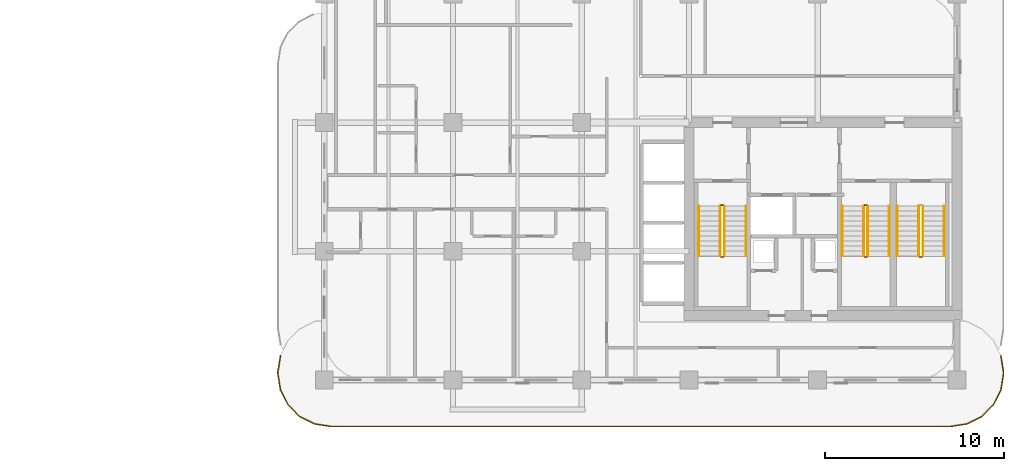
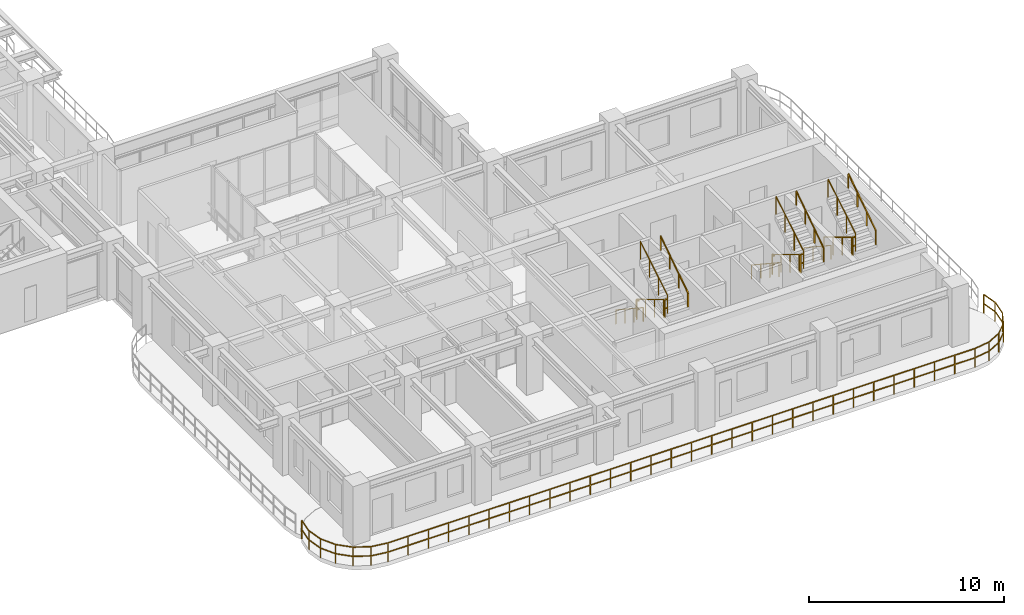
# One storey, part 17 of 20: 18 railings.
"""IFC4 building model written with IfcOpenShell, lengths in metres."""

from ifc_helpers import new_model, si_unit, derived_unit, direction, frame, origin, origin_2d, place, context, subcontext, project, spatial, rectangle, extrude, material, type_object, element, save


model = new_model("IFC4")

# Units and contexts
model_context = context("Model", 3, precision=1e-05, world=origin(), true_north=direction((0.0, 1.0)))
body_context = subcontext(model_context, "Body", "Model", "MODEL_VIEW")
ifc_project = project(units=[si_unit("LENGTHUNIT", "METRE"), si_unit("AREAUNIT", "SQUARE_METRE"), si_unit("VOLUMEUNIT", "CUBIC_METRE"), si_unit("PLANEANGLEUNIT", "RADIAN"), si_unit("MASSUNIT", "GRAM", prefix="KILO"), si_unit("THERMODYNAMICTEMPERATUREUNIT", "KELVIN"), si_unit("POWERUNIT", "WATT"), derived_unit("THERMALTRANSMITTANCEUNIT", [(si_unit("POWERUNIT", "WATT"), 1), (si_unit("AREAUNIT", "SQUARE_METRE"), -1), (si_unit("THERMODYNAMICTEMPERATUREUNIT", "KELVIN"), -1)])], contexts=[model_context])

# Site, building, storey
site_placement = place(None, origin())
site = spatial("IfcSite", under=ifc_project, at=site_placement, CompositionType="ELEMENT")
building_placement = place(site_placement, origin())
building = spatial("IfcBuilding", under=site, at=building_placement, Name="Zahravan Archway Hotel and Residences", CompositionType="ELEMENT")
storey_placement = place(building_placement, frame((0.0, 0.0, 130.300048828125)))
storey = spatial("IfcBuildingStorey", under=building, at=storey_placement, Name="L32", CompositionType="ELEMENT", Elevation=130.300048828125)

# Railings
ifc_material_1 = material(Name="Bronze & Laminated Glass Balustrade", Category="glass")
railing_type_1 = type_object("IfcRailingType", Name="RL-BAL-1200", PredefinedType="BALUSTRADE", material=ifc_material_1)
railing_1_placement = place(storey_placement, frame((52.255615234375, 1.361572265625, 0.0)))
element("IfcRailing", 1, at=railing_1_placement, inside=storey, type_object=railing_type_1, Name="L32 Balustrade RL-SLB-BAL-L32-SA-1", PredefinedType="BALUSTRADE", context=body_context, shape_type="SweptSolid", body=[
    extrude(rectangle(XDim=0.048095703125, YDim=0.048095703125, at=origin_2d()), frame((0.0, 0.0, 1.17578125), z_axis=(0.156329311416, -0.987704989555, 0.0), x_axis=(0.987704989555, 0.156329311416, 0.0)), (0.0, 0.0, 1.0), 0.9228515625),
    extrude(rectangle(XDim=0.048095703125, YDim=0.048095703125, at=origin_2d()), frame((0.0, 0.0, 0.60009765625), z_axis=(0.156329311416, -0.987704989555, 0.0), x_axis=(0.987704989555, 0.156329311416, 0.0)), (0.0, 0.0, 1.0), 0.9228515625),
    extrude(rectangle(XDim=0.048095703125, YDim=0.048095703125, at=origin_2d()), frame((0.144287109375, -0.91162109375, 1.17578125), z_axis=(0.0, -1.0, 0.0), x_axis=(1.0, 0.0, 0.0)), (0.0, 0.0, 1.0), 0.099853515625),
    extrude(rectangle(XDim=0.048095703125, YDim=0.048095703125, at=origin_2d()), frame((0.144287109375, -0.91162109375, 0.60009765625), z_axis=(0.0, -1.0, 0.0), x_axis=(1.0, 0.0, 0.0)), (0.0, 0.0, 1.0), 0.099853515625),
    extrude(rectangle(XDim=0.048095703125, YDim=0.048095703125, at=origin_2d()), frame((0.144287109375, -1.011474609375, 1.17578125), z_axis=(-0.156329311416, -0.987704989555, 0.0), x_axis=(0.987704989555, -0.156329311416, 0.0)), (0.0, 0.0, 1.0), 0.9228515625),
    extrude(rectangle(XDim=0.048095703125, YDim=0.048095703125, at=origin_2d()), frame((0.144287109375, -1.011474609375, 0.60009765625), z_axis=(-0.156329311416, -0.987704989555, 0.0), x_axis=(0.987704989555, -0.156329311416, 0.0)), (0.0, 0.0, 1.0), 0.9228515625),
    extrude(rectangle(XDim=0.048095703125, YDim=0.048095703125, at=origin_2d()), frame((0.0, -1.923095703125, 1.17578125), z_axis=(-0.453866348456, -0.891069771532, 0.0), x_axis=(0.891069771532, -0.453866348456, 0.0)), (0.0, 0.0, 1.0), 0.923095703125),
    extrude(rectangle(XDim=0.048095703125, YDim=0.048095703125, at=origin_2d()), frame((0.0, -1.923095703125, 0.60009765625), z_axis=(-0.453866348456, -0.891069771532, 0.0), x_axis=(0.891069771532, -0.453866348456, 0.0)), (0.0, 0.0, 1.0), 0.923095703125),
    extrude(rectangle(XDim=0.048095703125, YDim=0.048095703125, at=origin_2d()), frame((-0.4189453125, -2.74560546875, 1.17578125), z_axis=(-0.707106781187, -0.707106781187, 0.0), x_axis=(0.707106781187, -0.707106781187, 0.0)), (0.0, 0.0, 1.0), 0.9228515625),
    extrude(rectangle(XDim=0.048095703125, YDim=0.048095703125, at=origin_2d()), frame((-0.4189453125, -2.74560546875, 0.60009765625), z_axis=(-0.707106781187, -0.707106781187, 0.0), x_axis=(0.707106781187, -0.707106781187, 0.0)), (0.0, 0.0, 1.0), 0.9228515625),
    extrude(rectangle(XDim=0.048095703125, YDim=0.048095703125, at=origin_2d()), frame((-1.071533203125, -3.398193359375, 1.17578125), z_axis=(-0.891069771532, -0.453866348456, 0.0), x_axis=(0.453866348456, -0.891069771532, 0.0)), (0.0, 0.0, 1.0), 0.923095703125),
    extrude(rectangle(XDim=0.048095703125, YDim=0.048095703125, at=origin_2d()), frame((-1.071533203125, -3.398193359375, 0.60009765625), z_axis=(-0.891069771532, -0.453866348456, 0.0), x_axis=(0.453866348456, -0.891069771532, 0.0)), (0.0, 0.0, 1.0), 0.923095703125),
    extrude(rectangle(XDim=0.048095703125, YDim=0.048095703125, at=origin_2d()), frame((-1.89404296875, -3.817138671875, 1.17578125), z_axis=(-0.98766411426, -0.156587347521, 0.0), x_axis=(0.156587347521, -0.98766411426, 0.0)), (0.0, 0.0, 1.0), 0.923095703125),
    extrude(rectangle(XDim=0.048095703125, YDim=0.048095703125, at=origin_2d()), frame((-1.89404296875, -3.817138671875, 0.60009765625), z_axis=(-0.98766411426, -0.156587347521, 0.0), x_axis=(0.156587347521, -0.98766411426, 0.0)), (0.0, 0.0, 1.0), 0.923095703125),
    extrude(rectangle(XDim=0.048095703125, YDim=0.048095703125, at=origin_2d()), frame((-2.8056640625, -3.961669921875, 1.17578125), z_axis=(-1.0, 0.0, 0.0), x_axis=(0.0, -1.0, 0.0)), (0.0, 0.0, 1.0), 34.699951171875),
    extrude(rectangle(XDim=0.048095703125, YDim=0.048095703125, at=origin_2d()), frame((-2.8056640625, -3.961669921875, 0.60009765625), z_axis=(-1.0, 0.0, 0.0), x_axis=(0.0, -1.0, 0.0)), (0.0, 0.0, 1.0), 34.699951171875),
    extrude(rectangle(XDim=0.048095703125, YDim=0.048095703125, at=origin_2d()), frame((-37.505615234375, -3.961669921875, 1.17578125), z_axis=(-0.98766411426, 0.156587347521, 0.0), x_axis=(-0.156587347521, -0.98766411426, 0.0)), (0.0, 0.0, 1.0), 0.923095703125),
    extrude(rectangle(XDim=0.048095703125, YDim=0.048095703125, at=origin_2d()), frame((-37.505615234375, -3.961669921875, 0.60009765625), z_axis=(-0.98766411426, 0.156587347521, 0.0), x_axis=(-0.156587347521, -0.98766411426, 0.0)), (0.0, 0.0, 1.0), 0.923095703125),
    extrude(rectangle(XDim=0.048095703125, YDim=0.048095703125, at=origin_2d()), frame((-38.417236328125, -3.817138671875, 1.17578125), z_axis=(-0.891015268556, 0.453973337542, 0.0), x_axis=(-0.453973337542, -0.891015268556, 0.0)), (0.0, 0.0, 1.0), 0.9228515625),
    extrude(rectangle(XDim=0.048095703125, YDim=0.048095703125, at=origin_2d()), frame((-38.417236328125, -3.817138671875, 0.60009765625), z_axis=(-0.891015268556, 0.453973337542, 0.0), x_axis=(-0.453973337542, -0.891015268556, 0.0)), (0.0, 0.0, 1.0), 0.9228515625),
    extrude(rectangle(XDim=0.048095703125, YDim=0.048095703125, at=origin_2d()), frame((-39.239501953125, -3.398193359375, 1.17578125), z_axis=(-0.707239012465, 0.706974525176, 0.0), x_axis=(-0.706974525176, -0.707239012465, 0.0)), (0.0, 0.0, 1.0), 0.923095703125),
    extrude(rectangle(XDim=0.048095703125, YDim=0.048095703125, at=origin_2d()), frame((-39.239501953125, -3.398193359375, 0.60009765625), z_axis=(-0.707239012465, 0.706974525176, 0.0), x_axis=(-0.706974525176, -0.707239012465, 0.0)), (0.0, 0.0, 1.0), 0.923095703125),
    extrude(rectangle(XDim=0.048095703125, YDim=0.048095703125, at=origin_2d()), frame((-39.892333984375, -2.74560546875, 1.17578125), z_axis=(-0.453866348456, 0.891069771532, 0.0), x_axis=(-0.891069771532, -0.453866348456, 0.0)), (0.0, 0.0, 1.0), 0.923095703125),
    extrude(rectangle(XDim=0.048095703125, YDim=0.048095703125, at=origin_2d()), frame((-39.892333984375, -2.74560546875, 0.60009765625), z_axis=(-0.453866348456, 0.891069771532, 0.0), x_axis=(-0.891069771532, -0.453866348456, 0.0)), (0.0, 0.0, 1.0), 0.923095703125),
    extrude(rectangle(XDim=0.048095703125, YDim=0.048095703125, at=origin_2d()), frame((-40.311279296875, -1.923095703125, 1.17578125), z_axis=(-0.156329311416, 0.987704989555, 0.0), x_axis=(-0.987704989555, -0.156329311416, 0.0)), (0.0, 0.0, 1.0), 0.9228515625),
    extrude(rectangle(XDim=0.048095703125, YDim=0.048095703125, at=origin_2d()), frame((-40.311279296875, -1.923095703125, 0.60009765625), z_axis=(-0.156329311416, 0.987704989555, 0.0), x_axis=(-0.987704989555, -0.156329311416, 0.0)), (0.0, 0.0, 1.0), 0.9228515625),
    extrude(rectangle(XDim=0.048095703125, YDim=0.048095703125, at=origin_2d()), frame((-40.45556640625, -1.011474609375, 1.17578125), z_axis=(0.0, 1.0, 0.0), x_axis=(-1.0, 0.0, 0.0)), (0.0, 0.0, 1.0), 0.099853515625),
    extrude(rectangle(XDim=0.048095703125, YDim=0.048095703125, at=origin_2d()), frame((-40.45556640625, -1.011474609375, 0.60009765625), z_axis=(0.0, 1.0, 0.0), x_axis=(-1.0, 0.0, 0.0)), (0.0, 0.0, 1.0), 0.099853515625),
    extrude(rectangle(XDim=0.048095703125, YDim=0.048095703125, at=origin_2d()), frame((-40.45556640625, -0.91162109375, 1.17578125), z_axis=(0.156329311416, 0.987704989555, 0.0), x_axis=(-0.987704989555, 0.156329311416, 0.0)), (0.0, 0.0, 1.0), 0.9228515625),
    extrude(rectangle(XDim=0.048095703125, YDim=0.048095703125, at=origin_2d()), frame((-40.45556640625, -0.91162109375, 0.60009765625), z_axis=(0.156329311416, 0.987704989555, 0.0), x_axis=(-0.987704989555, 0.156329311416, 0.0)), (0.0, 0.0, 1.0), 0.9228515625),
    extrude(rectangle(XDim=0.0419921875, YDim=0.0419921875, at=origin_2d()), origin(), (0.0, 0.0, 1.0), 1.15185546875),
    extrude(rectangle(XDim=0.0419921875, YDim=0.0419921875, at=origin_2d()), frame((0.144287109375, -0.91162109375, 0.0)), (0.0, 0.0, 1.0), 1.15185546875),
    extrude(rectangle(XDim=0.0419921875, YDim=0.0419921875, at=origin_2d()), frame((0.0, -1.923095703125, 0.0)), (0.0, 0.0, 1.0), 1.15185546875),
    extrude(rectangle(XDim=0.0419921875, YDim=0.0419921875, at=origin_2d()), frame((-0.4189453125, -2.74560546875, 0.0)), (0.0, 0.0, 1.0), 1.15185546875),
    extrude(rectangle(XDim=0.0419921875, YDim=0.0419921875, at=origin_2d()), frame((-1.071533203125, -3.398193359375, 0.0)), (0.0, 0.0, 1.0), 1.15185546875),
    extrude(rectangle(XDim=0.0419921875, YDim=0.0419921875, at=origin_2d()), frame((-1.89404296875, -3.817138671875, 0.0)), (0.0, 0.0, 1.0), 1.15185546875),
    extrude(rectangle(XDim=0.0419921875, YDim=0.0419921875, at=origin_2d()), frame((-2.8056640625, -3.961669921875, 0.0)), (0.0, 0.0, 1.0), 1.15185546875),
    extrude(rectangle(XDim=0.0419921875, YDim=0.0419921875, at=origin_2d()), frame((-4.002197265625, -3.961669921875, 0.0)), (0.0, 0.0, 1.0), 1.15185546875),
    extrude(rectangle(XDim=0.0419921875, YDim=0.0419921875, at=origin_2d()), frame((-5.19873046875, -3.961669921875, 0.0)), (0.0, 0.0, 1.0), 1.15185546875),
    extrude(rectangle(XDim=0.0419921875, YDim=0.0419921875, at=origin_2d()), frame((-6.395263671875, -3.961669921875, 0.0)), (0.0, 0.0, 1.0), 1.15185546875),
    extrude(rectangle(XDim=0.0419921875, YDim=0.0419921875, at=origin_2d()), frame((-7.591796875, -3.961669921875, 0.0)), (0.0, 0.0, 1.0), 1.15185546875),
    extrude(rectangle(XDim=0.0419921875, YDim=0.0419921875, at=origin_2d()), frame((-8.788330078125, -3.961669921875, 0.0)), (0.0, 0.0, 1.0), 1.15185546875),
    extrude(rectangle(XDim=0.0419921875, YDim=0.0419921875, at=origin_2d()), frame((-9.98486328125, -3.961669921875, 0.0)), (0.0, 0.0, 1.0), 1.15185546875),
    extrude(rectangle(XDim=0.0419921875, YDim=0.0419921875, at=origin_2d()), frame((-11.181396484375, -3.961669921875, 0.0)), (0.0, 0.0, 1.0), 1.15185546875),
    extrude(rectangle(XDim=0.0419921875, YDim=0.0419921875, at=origin_2d()), frame((-12.378173828125, -3.961669921875, 0.0)), (0.0, 0.0, 1.0), 1.15185546875),
    extrude(rectangle(XDim=0.0419921875, YDim=0.0419921875, at=origin_2d()), frame((-13.57470703125, -3.961669921875, 0.0)), (0.0, 0.0, 1.0), 1.15185546875),
    extrude(rectangle(XDim=0.0419921875, YDim=0.0419921875, at=origin_2d()), frame((-14.771240234375, -3.961669921875, 0.0)), (0.0, 0.0, 1.0), 1.15185546875),
    extrude(rectangle(XDim=0.0419921875, YDim=0.0419921875, at=origin_2d()), frame((-15.9677734375, -3.961669921875, 0.0)), (0.0, 0.0, 1.0), 1.15185546875),
    extrude(rectangle(XDim=0.0419921875, YDim=0.0419921875, at=origin_2d()), frame((-17.164306640625, -3.961669921875, 0.0)), (0.0, 0.0, 1.0), 1.15185546875),
    extrude(rectangle(XDim=0.0419921875, YDim=0.0419921875, at=origin_2d()), frame((-18.36083984375, -3.961669921875, 0.0)), (0.0, 0.0, 1.0), 1.15185546875),
    extrude(rectangle(XDim=0.0419921875, YDim=0.0419921875, at=origin_2d()), frame((-19.557373046875, -3.961669921875, 0.0)), (0.0, 0.0, 1.0), 1.15185546875),
    extrude(rectangle(XDim=0.0419921875, YDim=0.0419921875, at=origin_2d()), frame((-20.75390625, -3.961669921875, 0.0)), (0.0, 0.0, 1.0), 1.15185546875),
    extrude(rectangle(XDim=0.0419921875, YDim=0.0419921875, at=origin_2d()), frame((-21.950439453125, -3.961669921875, 0.0)), (0.0, 0.0, 1.0), 1.15185546875),
    extrude(rectangle(XDim=0.0419921875, YDim=0.0419921875, at=origin_2d()), frame((-23.14697265625, -3.961669921875, 0.0)), (0.0, 0.0, 1.0), 1.15185546875),
    extrude(rectangle(XDim=0.0419921875, YDim=0.0419921875, at=origin_2d()), frame((-24.343505859375, -3.961669921875, 0.0)), (0.0, 0.0, 1.0), 1.15185546875),
    extrude(rectangle(XDim=0.0419921875, YDim=0.0419921875, at=origin_2d()), frame((-25.5400390625, -3.961669921875, 0.0)), (0.0, 0.0, 1.0), 1.15185546875),
    extrude(rectangle(XDim=0.0419921875, YDim=0.0419921875, at=origin_2d()), frame((-26.736572265625, -3.961669921875, 0.0)), (0.0, 0.0, 1.0), 1.15185546875),
    extrude(rectangle(XDim=0.0419921875, YDim=0.0419921875, at=origin_2d()), frame((-27.93310546875, -3.961669921875, 0.0)), (0.0, 0.0, 1.0), 1.15185546875),
    extrude(rectangle(XDim=0.0419921875, YDim=0.0419921875, at=origin_2d()), frame((-29.1298828125, -3.961669921875, 0.0)), (0.0, 0.0, 1.0), 1.15185546875),
    extrude(rectangle(XDim=0.0419921875, YDim=0.0419921875, at=origin_2d()), frame((-30.326416015625, -3.961669921875, 0.0)), (0.0, 0.0, 1.0), 1.15185546875),
    extrude(rectangle(XDim=0.0419921875, YDim=0.0419921875, at=origin_2d()), frame((-31.52294921875, -3.961669921875, 0.0)), (0.0, 0.0, 1.0), 1.15185546875),
    extrude(rectangle(XDim=0.0419921875, YDim=0.0419921875, at=origin_2d()), frame((-32.719482421875, -3.961669921875, 0.0)), (0.0, 0.0, 1.0), 1.15185546875),
    extrude(rectangle(XDim=0.0419921875, YDim=0.0419921875, at=origin_2d()), frame((-33.916015625, -3.961669921875, 0.0)), (0.0, 0.0, 1.0), 1.15185546875),
    extrude(rectangle(XDim=0.0419921875, YDim=0.0419921875, at=origin_2d()), frame((-35.112548828125, -3.961669921875, 0.0)), (0.0, 0.0, 1.0), 1.15185546875),
    extrude(rectangle(XDim=0.0419921875, YDim=0.0419921875, at=origin_2d()), frame((-36.30908203125, -3.961669921875, 0.0)), (0.0, 0.0, 1.0), 1.15185546875),
    extrude(rectangle(XDim=0.0419921875, YDim=0.0419921875, at=origin_2d()), frame((-37.505615234375, -3.961669921875, 0.0)), (0.0, 0.0, 1.0), 1.15185546875),
    extrude(rectangle(XDim=0.0419921875, YDim=0.0419921875, at=origin_2d()), frame((-38.417236328125, -3.817138671875, 0.0)), (0.0, 0.0, 1.0), 1.15185546875),
    extrude(rectangle(XDim=0.0419921875, YDim=0.0419921875, at=origin_2d()), frame((-39.239501953125, -3.398193359375, 0.0)), (0.0, 0.0, 1.0), 1.15185546875),
    extrude(rectangle(XDim=0.0419921875, YDim=0.0419921875, at=origin_2d()), frame((-39.892333984375, -2.74560546875, 0.0)), (0.0, 0.0, 1.0), 1.15185546875),
    extrude(rectangle(XDim=0.0419921875, YDim=0.0419921875, at=origin_2d()), frame((-40.311279296875, -1.923095703125, 0.0)), (0.0, 0.0, 1.0), 1.15185546875),
    extrude(rectangle(XDim=0.0419921875, YDim=0.0419921875, at=origin_2d()), frame((-40.45556640625, -1.011474609375, 0.0)), (0.0, 0.0, 1.0), 1.15185546875),
    extrude(rectangle(XDim=0.0419921875, YDim=0.0419921875, at=origin_2d()), frame((-40.311279296875, 0.0, 0.0)), (0.0, 0.0, 1.0), 1.15185546875),
])
ifc_material_2 = material(Name="Painted Tubular Steel", Category="steel")
railing_type_2 = type_object("IfcRailingType", Name="RL-STG-1150", PredefinedType="GUARDRAIL", material=ifc_material_2)
railing_2_placement = place(storey_placement, frame((36.550048828125, 9.72998046875, 0.168212890625)))
element("IfcRailing", 2, at=railing_2_placement, inside=storey, type_object=railing_type_2, Name="L32 ST-A1 stair guard 1", PredefinedType="GUARDRAIL", context=body_context, shape_type="SweptSolid", body=[
    extrude(rectangle(XDim=0.048095703125, YDim=0.048095703125, at=origin_2d()), frame((0.0, 0.0, 1.1259765625), z_axis=(0.0, -0.857275202839, 0.514858452973), x_axis=(1.0, 0.0, 0.0)), (0.0, 0.0, 1.0), 3.26611328125),
    extrude(rectangle(XDim=0.0419921875, YDim=0.0419921875, at=origin_2d()), origin(), (0.0, 0.0, 1.0), 1.101806640625),
    extrude(rectangle(XDim=0.0419921875, YDim=0.0419921875, at=origin_2d()), frame((0.0, -0.933349609375, 0.560546875)), (0.0, 0.0, 1.0), 1.101806640625),
    extrude(rectangle(XDim=0.0419921875, YDim=0.0419921875, at=origin_2d()), frame((0.0, -1.86669921875, 1.12109375)), (0.0, 0.0, 1.0), 1.101806640625),
    extrude(rectangle(XDim=0.0419921875, YDim=0.0419921875, at=origin_2d()), frame((0.0, -2.800048828125, 1.681640625)), (0.0, 0.0, 1.0), 1.101806640625),
])
railing_3_placement = place(storey_placement, frame((36.60009765625, 6.8798828125, 1.849853515625)))
element("IfcRailing", 3, at=railing_3_placement, inside=storey, type_object=railing_type_2, Name="L32 ST-A1 stair guard 2", PredefinedType="GUARDRAIL", context=body_context, shape_type="SweptSolid", body=[
    extrude(rectangle(XDim=0.048095703125, YDim=0.048095703125, at=origin_2d()), frame((0.0, 0.0, 1.1259765625), z_axis=(1.0, 0.0, 0.0), x_axis=(0.0, 1.0, 0.0)), (0.0, 0.0, 1.0), 0.139892578125),
    extrude(rectangle(XDim=0.048095703125, YDim=0.048095703125, at=origin_2d()), frame((0.0, 0.0, 0.574951171875), z_axis=(1.0, 0.0, 0.0), x_axis=(0.0, 1.0, 0.0)), (0.0, 0.0, 1.0), 0.139892578125),
    extrude(rectangle(XDim=0.0419921875, YDim=0.0419921875, at=origin_2d()), origin(), (0.0, 0.0, 1.0), 1.101806640625),
])
railing_4_placement = place(storey_placement, frame((36.7900390625, 6.929931640625, 2.01806640625)))
element("IfcRailing", 4, at=railing_4_placement, inside=storey, type_object=railing_type_2, Name="L32 ST-A1 stair guard 3", PredefinedType="GUARDRAIL", context=body_context, shape_type="SweptSolid", body=[
    extrude(rectangle(XDim=0.048095703125, YDim=0.048095703125, at=origin_2d()), frame((0.0, 0.0, 1.1259765625), z_axis=(0.0, 0.857242210791, 0.514913383045), x_axis=(-1.0, 0.0, 0.0)), (0.0, 0.0, 1.0), 3.266357421875),
    extrude(rectangle(XDim=0.0419921875, YDim=0.0419921875, at=origin_2d()), origin(), (0.0, 0.0, 1.0), 1.101806640625),
    extrude(rectangle(XDim=0.0419921875, YDim=0.0419921875, at=origin_2d()), frame((0.0, 0.933349609375, 0.560546875)), (0.0, 0.0, 1.0), 1.101806640625),
    extrude(rectangle(XDim=0.0419921875, YDim=0.0419921875, at=origin_2d()), frame((0.0, 1.86669921875, 1.121337890625)), (0.0, 0.0, 1.0), 1.101806640625),
    extrude(rectangle(XDim=0.0419921875, YDim=0.0419921875, at=origin_2d()), frame((0.0, 2.800048828125, 1.681884765625)), (0.0, 0.0, 1.0), 1.101806640625),
])
railing_5_placement = place(storey_placement, frame((36.60009765625, 9.780029296875, 0.0)))
element("IfcRailing", 5, at=railing_5_placement, inside=storey, type_object=railing_type_2, Name="L32 ST-A1 stair guard 4", PredefinedType="GUARDRAIL", context=body_context, shape_type="SweptSolid", body=[
    extrude(rectangle(XDim=0.048095703125, YDim=0.048095703125, at=origin_2d()), frame((0.0, 0.0, 1.1259765625), z_axis=(1.0, 0.0, 0.0), x_axis=(0.0, 1.0, 0.0)), (0.0, 0.0, 1.0), 0.139892578125),
    extrude(rectangle(XDim=0.048095703125, YDim=0.048095703125, at=origin_2d()), frame((0.0, 0.0, 0.574951171875), z_axis=(1.0, 0.0, 0.0), x_axis=(0.0, 1.0, 0.0)), (0.0, 0.0, 1.0), 0.139892578125),
    extrude(rectangle(XDim=0.0419921875, YDim=0.0419921875, at=origin_2d()), origin(), (0.0, 0.0, 1.0), 1.101806640625),
])
railing_6_placement = place(storey_placement, frame((44.570068359375, 9.72998046875, 0.168212890625)))
element("IfcRailing", 6, at=railing_6_placement, inside=storey, type_object=railing_type_2, Name="L32 ST-A2 stair guard 1", PredefinedType="GUARDRAIL", context=body_context, shape_type="SweptSolid", body=[
    extrude(rectangle(XDim=0.048095703125, YDim=0.048095703125, at=origin_2d()), frame((0.0, 0.0, 1.1259765625), z_axis=(0.0, -0.857275202839, 0.514858452973), x_axis=(1.0, 0.0, 0.0)), (0.0, 0.0, 1.0), 3.26611328125),
    extrude(rectangle(XDim=0.0419921875, YDim=0.0419921875, at=origin_2d()), origin(), (0.0, 0.0, 1.0), 1.101806640625),
    extrude(rectangle(XDim=0.0419921875, YDim=0.0419921875, at=origin_2d()), frame((0.0, -0.933349609375, 0.560546875)), (0.0, 0.0, 1.0), 1.101806640625),
    extrude(rectangle(XDim=0.0419921875, YDim=0.0419921875, at=origin_2d()), frame((0.0, -1.86669921875, 1.12109375)), (0.0, 0.0, 1.0), 1.101806640625),
    extrude(rectangle(XDim=0.0419921875, YDim=0.0419921875, at=origin_2d()), frame((0.0, -2.800048828125, 1.681640625)), (0.0, 0.0, 1.0), 1.101806640625),
])
railing_7_placement = place(storey_placement, frame((44.6201171875, 6.8798828125, 1.849853515625)))
element("IfcRailing", 7, at=railing_7_placement, inside=storey, type_object=railing_type_2, Name="L32 ST-A2 stair guard 2", PredefinedType="GUARDRAIL", context=body_context, shape_type="SweptSolid", body=[
    extrude(rectangle(XDim=0.048095703125, YDim=0.048095703125, at=origin_2d()), frame((0.0, 0.0, 1.1259765625), z_axis=(1.0, 0.0, 0.0), x_axis=(0.0, 1.0, 0.0)), (0.0, 0.0, 1.0), 0.139892578125),
    extrude(rectangle(XDim=0.048095703125, YDim=0.048095703125, at=origin_2d()), frame((0.0, 0.0, 0.574951171875), z_axis=(1.0, 0.0, 0.0), x_axis=(0.0, 1.0, 0.0)), (0.0, 0.0, 1.0), 0.139892578125),
    extrude(rectangle(XDim=0.0419921875, YDim=0.0419921875, at=origin_2d()), origin(), (0.0, 0.0, 1.0), 1.101806640625),
])
railing_8_placement = place(storey_placement, frame((44.81005859375, 6.929931640625, 2.01806640625)))
element("IfcRailing", 8, at=railing_8_placement, inside=storey, type_object=railing_type_2, Name="L32 ST-A2 stair guard 3", PredefinedType="GUARDRAIL", context=body_context, shape_type="SweptSolid", body=[
    extrude(rectangle(XDim=0.048095703125, YDim=0.048095703125, at=origin_2d()), frame((0.0, 0.0, 1.1259765625), z_axis=(0.0, 0.857242210791, 0.514913383045), x_axis=(-1.0, 0.0, 0.0)), (0.0, 0.0, 1.0), 3.266357421875),
    extrude(rectangle(XDim=0.0419921875, YDim=0.0419921875, at=origin_2d()), origin(), (0.0, 0.0, 1.0), 1.101806640625),
    extrude(rectangle(XDim=0.0419921875, YDim=0.0419921875, at=origin_2d()), frame((0.0, 0.933349609375, 0.560546875)), (0.0, 0.0, 1.0), 1.101806640625),
    extrude(rectangle(XDim=0.0419921875, YDim=0.0419921875, at=origin_2d()), frame((0.0, 1.86669921875, 1.121337890625)), (0.0, 0.0, 1.0), 1.101806640625),
    extrude(rectangle(XDim=0.0419921875, YDim=0.0419921875, at=origin_2d()), frame((0.0, 2.800048828125, 1.681884765625)), (0.0, 0.0, 1.0), 1.101806640625),
])
railing_9_placement = place(storey_placement, frame((44.6201171875, 9.780029296875, 0.0)))
element("IfcRailing", 9, at=railing_9_placement, inside=storey, type_object=railing_type_2, Name="L32 ST-A2 stair guard 4", PredefinedType="GUARDRAIL", context=body_context, shape_type="SweptSolid", body=[
    extrude(rectangle(XDim=0.048095703125, YDim=0.048095703125, at=origin_2d()), frame((0.0, 0.0, 1.1259765625), z_axis=(1.0, 0.0, 0.0), x_axis=(0.0, 1.0, 0.0)), (0.0, 0.0, 1.0), 0.139892578125),
    extrude(rectangle(XDim=0.048095703125, YDim=0.048095703125, at=origin_2d()), frame((0.0, 0.0, 0.574951171875), z_axis=(1.0, 0.0, 0.0), x_axis=(0.0, 1.0, 0.0)), (0.0, 0.0, 1.0), 0.139892578125),
    extrude(rectangle(XDim=0.0419921875, YDim=0.0419921875, at=origin_2d()), origin(), (0.0, 0.0, 1.0), 1.101806640625),
])
railing_10_placement = place(storey_placement, frame((47.64990234375, 9.72998046875, 0.168212890625)))
element("IfcRailing", 10, at=railing_10_placement, inside=storey, type_object=railing_type_2, Name="L32 ST-A3 stair guard 1", PredefinedType="GUARDRAIL", context=body_context, shape_type="SweptSolid", body=[
    extrude(rectangle(XDim=0.048095703125, YDim=0.048095703125, at=origin_2d()), frame((0.0, 0.0, 1.1259765625), z_axis=(0.0, -0.857275202839, 0.514858452973), x_axis=(1.0, 0.0, 0.0)), (0.0, 0.0, 1.0), 3.26611328125),
    extrude(rectangle(XDim=0.0419921875, YDim=0.0419921875, at=origin_2d()), origin(), (0.0, 0.0, 1.0), 1.101806640625),
    extrude(rectangle(XDim=0.0419921875, YDim=0.0419921875, at=origin_2d()), frame((0.0, -0.933349609375, 0.560546875)), (0.0, 0.0, 1.0), 1.101806640625),
    extrude(rectangle(XDim=0.0419921875, YDim=0.0419921875, at=origin_2d()), frame((0.0, -1.86669921875, 1.12109375)), (0.0, 0.0, 1.0), 1.101806640625),
    extrude(rectangle(XDim=0.0419921875, YDim=0.0419921875, at=origin_2d()), frame((0.0, -2.800048828125, 1.681640625)), (0.0, 0.0, 1.0), 1.101806640625),
])
railing_11_placement = place(storey_placement, frame((47.699951171875, 6.8798828125, 1.849853515625)))
element("IfcRailing", 11, at=railing_11_placement, inside=storey, type_object=railing_type_2, Name="L32 ST-A3 stair guard 2", PredefinedType="GUARDRAIL", context=body_context, shape_type="SweptSolid", body=[
    extrude(rectangle(XDim=0.048095703125, YDim=0.048095703125, at=origin_2d()), frame((0.0, 0.0, 1.1259765625), z_axis=(1.0, 0.0, 0.0), x_axis=(0.0, 1.0, 0.0)), (0.0, 0.0, 1.0), 0.14013671875),
    extrude(rectangle(XDim=0.048095703125, YDim=0.048095703125, at=origin_2d()), frame((0.0, 0.0, 0.574951171875), z_axis=(1.0, 0.0, 0.0), x_axis=(0.0, 1.0, 0.0)), (0.0, 0.0, 1.0), 0.14013671875),
    extrude(rectangle(XDim=0.0419921875, YDim=0.0419921875, at=origin_2d()), origin(), (0.0, 0.0, 1.0), 1.101806640625),
])
railing_12_placement = place(storey_placement, frame((47.889892578125, 6.929931640625, 2.01806640625)))
element("IfcRailing", 12, at=railing_12_placement, inside=storey, type_object=railing_type_2, Name="L32 ST-A3 stair guard 3", PredefinedType="GUARDRAIL", context=body_context, shape_type="SweptSolid", body=[
    extrude(rectangle(XDim=0.048095703125, YDim=0.048095703125, at=origin_2d()), frame((0.0, 0.0, 1.1259765625), z_axis=(0.0, 0.857242210791, 0.514913383045), x_axis=(-1.0, 0.0, 0.0)), (0.0, 0.0, 1.0), 3.266357421875),
    extrude(rectangle(XDim=0.0419921875, YDim=0.0419921875, at=origin_2d()), origin(), (0.0, 0.0, 1.0), 1.101806640625),
    extrude(rectangle(XDim=0.0419921875, YDim=0.0419921875, at=origin_2d()), frame((0.0, 0.933349609375, 0.560546875)), (0.0, 0.0, 1.0), 1.101806640625),
    extrude(rectangle(XDim=0.0419921875, YDim=0.0419921875, at=origin_2d()), frame((0.0, 1.86669921875, 1.121337890625)), (0.0, 0.0, 1.0), 1.101806640625),
    extrude(rectangle(XDim=0.0419921875, YDim=0.0419921875, at=origin_2d()), frame((0.0, 2.800048828125, 1.681884765625)), (0.0, 0.0, 1.0), 1.101806640625),
])
ifc_material_3 = material(Name="Brushed Stainless Steel", Category="steel")
railing_type_3 = type_object("IfcRailingType", Name="RL-STH-900", PredefinedType="HANDRAIL", material=ifc_material_3)
railing_13_placement = place(storey_placement, frame((35.35009765625, 9.72998046875, 0.168212890625)))
element("IfcRailing", 13, at=railing_13_placement, inside=storey, type_object=railing_type_3, Name="L32 ST-A1 stair handrail 1", PredefinedType="HANDRAIL", context=body_context, shape_type="SweptSolid", body=[
    extrude(rectangle(XDim=0.048095703125, YDim=0.048095703125, at=origin_2d()), frame((0.0, 0.0, 0.8759765625), z_axis=(0.0, -0.83435981716, 0.551220187865), x_axis=(1.0, 0.0, 0.0)), (0.0, 0.0, 1.0), 3.35595703125),
    extrude(rectangle(XDim=0.0419921875, YDim=0.0419921875, at=origin_2d()), origin(), (0.0, 0.0, 1.0), 0.851806640625),
    extrude(rectangle(XDim=0.0419921875, YDim=0.0419921875, at=origin_2d()), frame((0.0, -0.933349609375, 0.61669921875)), (0.0, 0.0, 1.0), 0.851806640625),
    extrude(rectangle(XDim=0.0419921875, YDim=0.0419921875, at=origin_2d()), frame((0.0, -1.86669921875, 1.233154296875)), (0.0, 0.0, 1.0), 0.851806640625),
    extrude(rectangle(XDim=0.0419921875, YDim=0.0419921875, at=origin_2d()), frame((0.0, -2.800048828125, 1.849853515625)), (0.0, 0.0, 1.0), 0.851806640625),
])
railing_14_placement = place(storey_placement, frame((37.989990234375, 6.929931640625, 2.01806640625)))
element("IfcRailing", 14, at=railing_14_placement, inside=storey, type_object=railing_type_3, Name="L32 ST-A1 stair handrail 2", PredefinedType="HANDRAIL", context=body_context, shape_type="SweptSolid", body=[
    extrude(rectangle(XDim=0.048095703125, YDim=0.048095703125, at=origin_2d()), frame((0.0, 0.0, 0.8759765625), z_axis=(0.0, 0.834326358476, 0.551270829586), x_axis=(-1.0, 0.0, 0.0)), (0.0, 0.0, 1.0), 3.35595703125),
    extrude(rectangle(XDim=0.0419921875, YDim=0.0419921875, at=origin_2d()), origin(), (0.0, 0.0, 1.0), 0.851806640625),
    extrude(rectangle(XDim=0.0419921875, YDim=0.0419921875, at=origin_2d()), frame((0.0, 0.933349609375, 0.61669921875)), (0.0, 0.0, 1.0), 0.851806640625),
    extrude(rectangle(XDim=0.0419921875, YDim=0.0419921875, at=origin_2d()), frame((0.0, 1.86669921875, 1.2333984375)), (0.0, 0.0, 1.0), 0.851806640625),
    extrude(rectangle(XDim=0.0419921875, YDim=0.0419921875, at=origin_2d()), frame((0.0, 2.800048828125, 1.85009765625)), (0.0, 0.0, 1.0), 0.851806640625),
])
railing_15_placement = place(storey_placement, frame((43.3701171875, 9.72998046875, 0.168212890625)))
element("IfcRailing", 15, at=railing_15_placement, inside=storey, type_object=railing_type_3, Name="L32 ST-A2 stair handrail 1", PredefinedType="HANDRAIL", context=body_context, shape_type="SweptSolid", body=[
    extrude(rectangle(XDim=0.048095703125, YDim=0.048095703125, at=origin_2d()), frame((0.0, 0.0, 0.8759765625), z_axis=(0.0, -0.83435981716, 0.551220187865), x_axis=(1.0, 0.0, 0.0)), (0.0, 0.0, 1.0), 3.35595703125),
    extrude(rectangle(XDim=0.0419921875, YDim=0.0419921875, at=origin_2d()), origin(), (0.0, 0.0, 1.0), 0.851806640625),
    extrude(rectangle(XDim=0.0419921875, YDim=0.0419921875, at=origin_2d()), frame((0.0, -0.933349609375, 0.61669921875)), (0.0, 0.0, 1.0), 0.851806640625),
    extrude(rectangle(XDim=0.0419921875, YDim=0.0419921875, at=origin_2d()), frame((0.0, -1.86669921875, 1.233154296875)), (0.0, 0.0, 1.0), 0.851806640625),
    extrude(rectangle(XDim=0.0419921875, YDim=0.0419921875, at=origin_2d()), frame((0.0, -2.800048828125, 1.849853515625)), (0.0, 0.0, 1.0), 0.851806640625),
])
railing_16_placement = place(storey_placement, frame((46.010009765625, 6.929931640625, 2.01806640625)))
element("IfcRailing", 16, at=railing_16_placement, inside=storey, type_object=railing_type_3, Name="L32 ST-A2 stair handrail 2", PredefinedType="HANDRAIL", context=body_context, shape_type="SweptSolid", body=[
    extrude(rectangle(XDim=0.048095703125, YDim=0.048095703125, at=origin_2d()), frame((0.0, 0.0, 0.8759765625), z_axis=(0.0, 0.834326358476, 0.551270829586), x_axis=(-1.0, 0.0, 0.0)), (0.0, 0.0, 1.0), 3.35595703125),
    extrude(rectangle(XDim=0.0419921875, YDim=0.0419921875, at=origin_2d()), origin(), (0.0, 0.0, 1.0), 0.851806640625),
    extrude(rectangle(XDim=0.0419921875, YDim=0.0419921875, at=origin_2d()), frame((0.0, 0.933349609375, 0.61669921875)), (0.0, 0.0, 1.0), 0.851806640625),
    extrude(rectangle(XDim=0.0419921875, YDim=0.0419921875, at=origin_2d()), frame((0.0, 1.86669921875, 1.2333984375)), (0.0, 0.0, 1.0), 0.851806640625),
    extrude(rectangle(XDim=0.0419921875, YDim=0.0419921875, at=origin_2d()), frame((0.0, 2.800048828125, 1.85009765625)), (0.0, 0.0, 1.0), 0.851806640625),
])
railing_17_placement = place(storey_placement, frame((46.449951171875, 9.72998046875, 0.168212890625)))
element("IfcRailing", 17, at=railing_17_placement, inside=storey, type_object=railing_type_3, Name="L32 ST-A3 stair handrail 1", PredefinedType="HANDRAIL", context=body_context, shape_type="SweptSolid", body=[
    extrude(rectangle(XDim=0.048095703125, YDim=0.048095703125, at=origin_2d()), frame((0.0, 0.0, 0.8759765625), z_axis=(0.0, -0.83435981716, 0.551220187865), x_axis=(1.0, 0.0, 0.0)), (0.0, 0.0, 1.0), 3.35595703125),
    extrude(rectangle(XDim=0.0419921875, YDim=0.0419921875, at=origin_2d()), origin(), (0.0, 0.0, 1.0), 0.851806640625),
    extrude(rectangle(XDim=0.0419921875, YDim=0.0419921875, at=origin_2d()), frame((0.0, -0.933349609375, 0.61669921875)), (0.0, 0.0, 1.0), 0.851806640625),
    extrude(rectangle(XDim=0.0419921875, YDim=0.0419921875, at=origin_2d()), frame((0.0, -1.86669921875, 1.233154296875)), (0.0, 0.0, 1.0), 0.851806640625),
    extrude(rectangle(XDim=0.0419921875, YDim=0.0419921875, at=origin_2d()), frame((0.0, -2.800048828125, 1.849853515625)), (0.0, 0.0, 1.0), 0.851806640625),
])
railing_18_placement = place(storey_placement, frame((49.090087890625, 6.929931640625, 2.01806640625)))
element("IfcRailing", 18, at=railing_18_placement, inside=storey, type_object=railing_type_3, Name="L32 ST-A3 stair handrail 2", PredefinedType="HANDRAIL", context=body_context, shape_type="SweptSolid", body=[
    extrude(rectangle(XDim=0.048095703125, YDim=0.048095703125, at=origin_2d()), frame((0.0, 0.0, 0.8759765625), z_axis=(0.0, 0.834326358476, 0.551270829586), x_axis=(-1.0, 0.0, 0.0)), (0.0, 0.0, 1.0), 3.35595703125),
    extrude(rectangle(XDim=0.0419921875, YDim=0.0419921875, at=origin_2d()), origin(), (0.0, 0.0, 1.0), 0.851806640625),
    extrude(rectangle(XDim=0.0419921875, YDim=0.0419921875, at=origin_2d()), frame((0.0, 0.933349609375, 0.61669921875)), (0.0, 0.0, 1.0), 0.851806640625),
    extrude(rectangle(XDim=0.0419921875, YDim=0.0419921875, at=origin_2d()), frame((0.0, 1.86669921875, 1.2333984375)), (0.0, 0.0, 1.0), 0.851806640625),
    extrude(rectangle(XDim=0.0419921875, YDim=0.0419921875, at=origin_2d()), frame((0.0, 2.800048828125, 1.85009765625)), (0.0, 0.0, 1.0), 0.851806640625),
])

save(model, "model.ifc")
